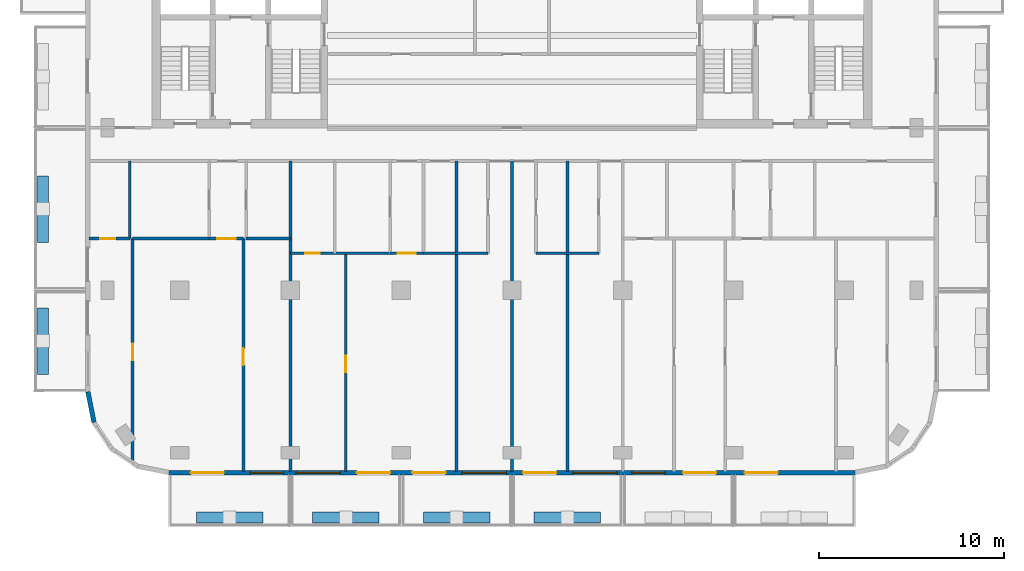
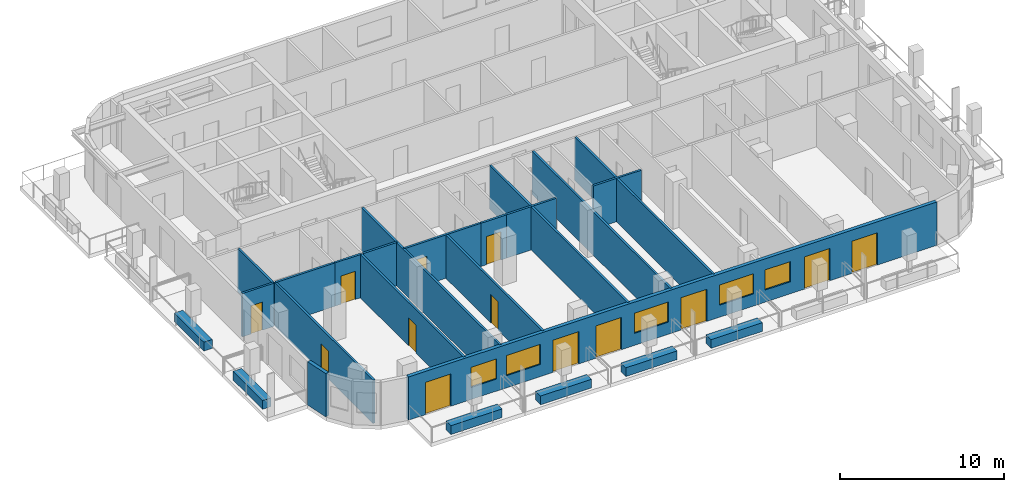
# One storey, part 2 of 11: 24 walls, 13 doors, 5 windows, 18 openings.
"""IFC4 building model written with IfcOpenShell, lengths in metres."""

from ifc_helpers import new_model, si_unit, direction, frame, frame_2d, origin, place, context, subcontext, project, spatial, rectangle, extrude, material, layer, layer_set, type_object, element, fill, save


model = new_model("IFC4")

# Units and contexts
model_context = context("Model", 3, precision=1e-05, world=origin(), true_north=direction((0.0, 1.0)))
body_context = subcontext(model_context, "Body", "Model", "MODEL_VIEW")
ifc_project = project(units=[si_unit("LENGTHUNIT", "METRE"), si_unit("AREAUNIT", "SQUARE_METRE"), si_unit("VOLUMEUNIT", "CUBIC_METRE"), si_unit("PLANEANGLEUNIT", "RADIAN"), si_unit("MASSUNIT", "GRAM", prefix="KILO")], contexts=[model_context])

# Site, building, storey
site_placement = place(None, origin())
site = spatial("IfcSite", under=ifc_project, at=site_placement, CompositionType="ELEMENT")
building_placement = place(site_placement, origin())
building = spatial("IfcBuilding", under=site, at=building_placement, Name="Torana Hotel and Residences", CompositionType="ELEMENT")
storey_placement = place(building_placement, frame((0.0, 0.0, 284.10009765625)))
storey = spatial("IfcBuildingStorey", under=building, at=storey_placement, Name="L75", CompositionType="ELEMENT", Elevation=284.10009765625)

# Wall
ifc_material_1 = material(Name="Black aluminium composite panel", Category="aluminium")
ifc_layer_1 = layer(ifc_material_1, 0.00390625, Name="Cladding", Category="cladding")
ifc_material_2 = material(Name="Ventilated air cavity")
ifc_layer_2 = layer(ifc_material_2, 0.0400390625, Name="Ventilated cavity", Category="cavity")
ifc_material_3 = material(Name="Mineral wool insulation")
ifc_layer_3 = layer(ifc_material_3, 0.090087890625, Name="Insulation", Category="insulation")
ifc_material_4 = material(Name="Steel S280GD", Category="steel")
ifc_layer_4 = layer(ifc_material_4, 0.092041015625, Name="Steel stud frame", Category="structure")
ifc_material_5 = material(Name="Fire rated plasterboard")
ifc_layer_5 = layer(ifc_material_5, 0.011962890625, Name="Inner board", Category="finish")
ifc_layer_6 = layer(ifc_material_5, 0.011962890625, Name="Second board", Category="finish")
ifc_layer_set_1 = layer_set([ifc_layer_1, ifc_layer_2, ifc_layer_3, ifc_layer_4, ifc_layer_5, ifc_layer_6], Name="EW1 EXTERNAL WALL BLACK METAL CLAD 250")
wall_type_1 = type_object("IfcWallType", Name="EW1 EXTERNAL WALL BLACK METAL CLAD 250", PredefinedType="SOLIDWALL", material=ifc_layer_set_1)
wall_1_placement = place(storey_placement, frame((-22.97265625, -29.2998046875, 0.0), z_axis=(0.0, 0.0, 1.0), x_axis=(0.19513878023, -0.980775640221, 0.0)))
element("IfcWall", 1, at=wall_1_placement, inside=storey, type_object=wall_type_1, Name="External wall L75 e0.10", PredefinedType="SOLIDWALL", context=body_context, shape_type="SweptSolid", body=[
    extrude(rectangle(XDim=1.681396484375, YDim=0.25, at=frame_2d((0.8408203125, 0.0))), origin(), (0.0, 0.0, 1.0), 3.219970703125),
])

# Wall, openings, doors, windows
wall_2_placement = place(storey_placement, frame((-18.575439453125, -33.675048828125, 0.0), z_axis=(0.0, 0.0, 1.0), x_axis=(1.0, 0.0, 0.0)))
wall_2 = element("IfcWall", 2, at=wall_2_placement, inside=storey, type_object=wall_type_1, Name="External wall L75 e0.14", PredefinedType="SOLIDWALL", context=body_context, shape_type="SweptSolid", body=[
    extrude(rectangle(XDim=37.15087890625, YDim=0.25, at=frame_2d((18.575439453125, 0.0))), origin(), (0.0, 0.0, 1.0), 3.219970703125),
])
opening_1_placement = place(wall_2_placement, frame((1.17529296875, 0.0, 0.0)))
opening_1 = element("IfcOpeningElement", 3, at=opening_1_placement, cuts=wall_2, Name="Opening L75-E01", PredefinedType="OPENING", context=body_context, shape_type="SweptSolid", body=[
    extrude(rectangle(XDim=1.800048828125, YDim=2.39990234375, at=frame_2d((0.89990234375, 1.199951171875))), frame((0.0, 0.135009765625, 0.0), z_axis=(0.0, -1.0, 0.0), x_axis=(1.0, 0.0, 0.0)), (0.0, 0.0, 1.0), 0.27001953125),
])
opening_2_placement = place(wall_2_placement, frame((4.400390625, 0.0, 0.89990234375)))
opening_2 = element("IfcOpeningElement", 4, at=opening_2_placement, cuts=wall_2, Name="Opening W4", PredefinedType="OPENING", context=body_context, shape_type="SweptSolid", body=[
    extrude(rectangle(XDim=1.800048828125, YDim=1.5, at=frame_2d((0.89990234375, 0.75))), frame((0.0, 0.135009765625, 0.0), z_axis=(0.0, -1.0, 0.0), x_axis=(1.0, 0.0, 0.0)), (0.0, 0.0, 1.0), 0.27001953125),
])
opening_3_placement = place(wall_2_placement, frame((6.87548828125, 0.0, 0.89990234375)))
opening_3 = element("IfcOpeningElement", 5, at=opening_3_placement, cuts=wall_2, Name="Opening W3", PredefinedType="OPENING", context=body_context, shape_type="SweptSolid", body=[
    extrude(rectangle(XDim=2.39990234375, YDim=1.5, at=frame_2d((1.199951171875, 0.75))), frame((0.0, 0.135009765625, 0.0), z_axis=(0.0, -1.0, 0.0), x_axis=(1.0, 0.0, 0.0)), (0.0, 0.0, 1.0), 0.27001953125),
])
opening_4_placement = place(wall_2_placement, frame((10.17529296875, 0.0, 0.0)))
opening_4 = element("IfcOpeningElement", 6, at=opening_4_placement, cuts=wall_2, Name="Opening L75-E02", PredefinedType="OPENING", context=body_context, shape_type="SweptSolid", body=[
    extrude(rectangle(XDim=1.800048828125, YDim=2.39990234375, at=frame_2d((0.89990234375, 1.199951171875))), frame((0.0, 0.135009765625, 0.0), z_axis=(0.0, -1.0, 0.0), x_axis=(1.0, 0.0, 0.0)), (0.0, 0.0, 1.0), 0.27001953125),
])
opening_5_placement = place(wall_2_placement, frame((13.17529296875, 0.0, 0.0)))
opening_5 = element("IfcOpeningElement", 7, at=opening_5_placement, cuts=wall_2, Name="Opening L75-E03", PredefinedType="OPENING", context=body_context, shape_type="SweptSolid", body=[
    extrude(rectangle(XDim=1.800048828125, YDim=2.39990234375, at=frame_2d((0.89990234375, 1.199951171875))), frame((0.0, 0.135009765625, 0.0), z_axis=(0.0, -1.0, 0.0), x_axis=(1.0, 0.0, 0.0)), (0.0, 0.0, 1.0), 0.27001953125),
])
opening_6_placement = place(wall_2_placement, frame((15.87548828125, 0.0, 0.89990234375)))
opening_6 = element("IfcOpeningElement", 8, at=opening_6_placement, cuts=wall_2, Name="Opening W3", PredefinedType="OPENING", context=body_context, shape_type="SweptSolid", body=[
    extrude(rectangle(XDim=2.39990234375, YDim=1.5, at=frame_2d((1.199951171875, 0.75))), frame((0.0, 0.135009765625, 0.0), z_axis=(0.0, -1.0, 0.0), x_axis=(1.0, 0.0, 0.0)), (0.0, 0.0, 1.0), 0.27001953125),
])
opening_7_placement = place(wall_2_placement, frame((19.17529296875, 0.0, 0.0)))
opening_7 = element("IfcOpeningElement", 9, at=opening_7_placement, cuts=wall_2, Name="Opening L75-E04", PredefinedType="OPENING", context=body_context, shape_type="SweptSolid", body=[
    extrude(rectangle(XDim=1.800048828125, YDim=2.39990234375, at=frame_2d((0.89990234375, 1.199951171875))), frame((0.0, 0.135009765625, 0.0), z_axis=(0.0, -1.0, 0.0), x_axis=(1.0, 0.0, 0.0)), (0.0, 0.0, 1.0), 0.27001953125),
])
opening_8_placement = place(wall_2_placement, frame((21.87548828125, 0.0, 0.89990234375)))
opening_8 = element("IfcOpeningElement", 10, at=opening_8_placement, cuts=wall_2, Name="Opening W3", PredefinedType="OPENING", context=body_context, shape_type="SweptSolid", body=[
    extrude(rectangle(XDim=2.39990234375, YDim=1.5, at=frame_2d((1.199951171875, 0.75))), frame((0.0, 0.135009765625, 0.0), z_axis=(0.0, -1.0, 0.0), x_axis=(1.0, 0.0, 0.0)), (0.0, 0.0, 1.0), 0.27001953125),
])
opening_9_placement = place(wall_2_placement, frame((25.0634765625, 0.0, 0.89990234375)))
opening_9 = element("IfcOpeningElement", 11, at=opening_9_placement, cuts=wall_2, Name="Opening W4", PredefinedType="OPENING", context=body_context, shape_type="SweptSolid", body=[
    extrude(rectangle(XDim=1.800048828125, YDim=1.5, at=frame_2d((0.89990234375, 0.75))), frame((0.0, 0.135009765625, 0.0), z_axis=(0.0, -1.0, 0.0), x_axis=(1.0, 0.0, 0.0)), (0.0, 0.0, 1.0), 0.27001953125),
])
opening_10_placement = place(wall_2_placement, frame((27.83837890625, 0.0, 0.0)))
opening_10 = element("IfcOpeningElement", 12, at=opening_10_placement, cuts=wall_2, Name="Opening L75-E05", PredefinedType="OPENING", context=body_context, shape_type="SweptSolid", body=[
    extrude(rectangle(XDim=1.800048828125, YDim=2.39990234375, at=frame_2d((0.89990234375, 1.199951171875))), frame((0.0, 0.135009765625, 0.0), z_axis=(0.0, -1.0, 0.0), x_axis=(1.0, 0.0, 0.0)), (0.0, 0.0, 1.0), 0.27001953125),
])
opening_11_placement = place(wall_2_placement, frame((31.17529296875, 0.0, 0.0)))
opening_11 = element("IfcOpeningElement", 13, at=opening_11_placement, cuts=wall_2, Name="Opening L75-E06", PredefinedType="OPENING", context=body_context, shape_type="SweptSolid", body=[
    extrude(rectangle(XDim=1.800048828125, YDim=2.39990234375, at=frame_2d((0.89990234375, 1.199951171875))), frame((0.0, 0.135009765625, 0.0), z_axis=(0.0, -1.0, 0.0), x_axis=(1.0, 0.0, 0.0)), (0.0, 0.0, 1.0), 0.27001953125),
])
ifc_material_6 = material(Name="Dark glass in black aluminium frame", Category="aluminium")
door_type_1 = type_object("IfcDoorType", Name="DB1 BALCONY DOOR 1800x2400", OperationType="DOUBLE_DOOR_SINGLE_SWING", PredefinedType="DOOR", material=ifc_material_6)
door_1_placement = place(opening_1_placement, origin())
door_1 = element("IfcDoor", 14, at=door_1_placement, inside=storey, type_object=door_type_1, Name="Balcony door L75", OperationType="DOUBLE_DOOR_SINGLE_SWING", OverallHeight=2.39990234375, OverallWidth=1.800048828125, PredefinedType="DOOR", context=body_context, shape_type="SweptSolid", body=[
    extrude(rectangle(XDim=1.800048828125, YDim=2.39990234375, at=frame_2d((0.89990234375, 1.199951171875))), frame((0.0, 0.02490234375, 0.0), z_axis=(0.0, -1.0, 0.0), x_axis=(1.0, 0.0, 0.0)), (0.0, 0.0, 1.0), 0.050048828125),
])
fill(opening_1, door_1)
door_2_placement = place(opening_4_placement, origin())
door_2 = element("IfcDoor", 15, at=door_2_placement, inside=storey, type_object=door_type_1, Name="Balcony door L75", OperationType="DOUBLE_DOOR_SINGLE_SWING", OverallHeight=2.39990234375, OverallWidth=1.800048828125, PredefinedType="DOOR", context=body_context, shape_type="SweptSolid", body=[
    extrude(rectangle(XDim=1.800048828125, YDim=2.39990234375, at=frame_2d((0.89990234375, 1.199951171875))), frame((0.0, 0.02490234375, 0.0), z_axis=(0.0, -1.0, 0.0), x_axis=(1.0, 0.0, 0.0)), (0.0, 0.0, 1.0), 0.050048828125),
])
fill(opening_4, door_2)
door_3_placement = place(opening_5_placement, origin())
door_3 = element("IfcDoor", 16, at=door_3_placement, inside=storey, type_object=door_type_1, Name="Balcony door L75", OperationType="DOUBLE_DOOR_SINGLE_SWING", OverallHeight=2.39990234375, OverallWidth=1.800048828125, PredefinedType="DOOR", context=body_context, shape_type="SweptSolid", body=[
    extrude(rectangle(XDim=1.800048828125, YDim=2.39990234375, at=frame_2d((0.89990234375, 1.199951171875))), frame((0.0, 0.02490234375, 0.0), z_axis=(0.0, -1.0, 0.0), x_axis=(1.0, 0.0, 0.0)), (0.0, 0.0, 1.0), 0.050048828125),
])
fill(opening_5, door_3)
door_4_placement = place(opening_7_placement, origin())
door_4 = element("IfcDoor", 17, at=door_4_placement, inside=storey, type_object=door_type_1, Name="Balcony door L75", OperationType="DOUBLE_DOOR_SINGLE_SWING", OverallHeight=2.39990234375, OverallWidth=1.800048828125, PredefinedType="DOOR", context=body_context, shape_type="SweptSolid", body=[
    extrude(rectangle(XDim=1.800048828125, YDim=2.39990234375, at=frame_2d((0.89990234375, 1.199951171875))), frame((0.0, 0.02490234375, 0.0), z_axis=(0.0, -1.0, 0.0), x_axis=(1.0, 0.0, 0.0)), (0.0, 0.0, 1.0), 0.050048828125),
])
fill(opening_7, door_4)
door_5_placement = place(opening_10_placement, origin())
door_5 = element("IfcDoor", 18, at=door_5_placement, inside=storey, type_object=door_type_1, Name="Balcony door L75", OperationType="DOUBLE_DOOR_SINGLE_SWING", OverallHeight=2.39990234375, OverallWidth=1.800048828125, PredefinedType="DOOR", context=body_context, shape_type="SweptSolid", body=[
    extrude(rectangle(XDim=1.800048828125, YDim=2.39990234375, at=frame_2d((0.89990234375, 1.199951171875))), frame((0.0, 0.02490234375, 0.0), z_axis=(0.0, -1.0, 0.0), x_axis=(1.0, 0.0, 0.0)), (0.0, 0.0, 1.0), 0.050048828125),
])
fill(opening_10, door_5)
door_6_placement = place(opening_11_placement, origin())
door_6 = element("IfcDoor", 19, at=door_6_placement, inside=storey, type_object=door_type_1, Name="Balcony door L75", OperationType="DOUBLE_DOOR_SINGLE_SWING", OverallHeight=2.39990234375, OverallWidth=1.800048828125, PredefinedType="DOOR", context=body_context, shape_type="SweptSolid", body=[
    extrude(rectangle(XDim=1.800048828125, YDim=2.39990234375, at=frame_2d((0.89990234375, 1.199951171875))), frame((0.0, 0.02490234375, 0.0), z_axis=(0.0, -1.0, 0.0), x_axis=(1.0, 0.0, 0.0)), (0.0, 0.0, 1.0), 0.050048828125),
])
fill(opening_11, door_6)
ifc_material_7 = material(Name="Dark glass in black aluminium frame", Category="aluminium")
window_type_1 = type_object("IfcWindowType", Name="W3 RESIDENCE WINDOW 2400x1500", PartitioningType="SINGLE_PANEL", PredefinedType="WINDOW", material=ifc_material_7)
window_1_placement = place(opening_3_placement, origin())
window_1 = element("IfcWindow", 20, at=window_1_placement, inside=storey, type_object=window_type_1, Name="Window L75", OverallHeight=1.5, OverallWidth=2.39990234375, PartitioningType="SINGLE_PANEL", PredefinedType="WINDOW", context=body_context, shape_type="SweptSolid", body=[
    extrude(rectangle(XDim=2.39990234375, YDim=1.5, at=frame_2d((1.199951171875, 0.75))), frame((0.0, 0.030029296875, 0.0), z_axis=(0.0, -1.0, 0.0), x_axis=(1.0, 0.0, 0.0)), (0.0, 0.0, 1.0), 0.06005859375),
])
fill(opening_3, window_1)
window_2_placement = place(opening_6_placement, origin())
window_2 = element("IfcWindow", 21, at=window_2_placement, inside=storey, type_object=window_type_1, Name="Window L75", OverallHeight=1.5, OverallWidth=2.39990234375, PartitioningType="SINGLE_PANEL", PredefinedType="WINDOW", context=body_context, shape_type="SweptSolid", body=[
    extrude(rectangle(XDim=2.39990234375, YDim=1.5, at=frame_2d((1.199951171875, 0.75))), frame((0.0, 0.030029296875, 0.0), z_axis=(0.0, -1.0, 0.0), x_axis=(1.0, 0.0, 0.0)), (0.0, 0.0, 1.0), 0.06005859375),
])
fill(opening_6, window_2)
window_3_placement = place(opening_8_placement, origin())
window_3 = element("IfcWindow", 22, at=window_3_placement, inside=storey, type_object=window_type_1, Name="Window L75", OverallHeight=1.5, OverallWidth=2.39990234375, PartitioningType="SINGLE_PANEL", PredefinedType="WINDOW", context=body_context, shape_type="SweptSolid", body=[
    extrude(rectangle(XDim=2.39990234375, YDim=1.5, at=frame_2d((1.199951171875, 0.75))), frame((0.0, 0.030029296875, 0.0), z_axis=(0.0, -1.0, 0.0), x_axis=(1.0, 0.0, 0.0)), (0.0, 0.0, 1.0), 0.06005859375),
])
fill(opening_8, window_3)
ifc_material_8 = material(Name="Dark glass in black aluminium frame", Category="aluminium")
window_type_2 = type_object("IfcWindowType", Name="W4 RESIDENCE WINDOW NARROW 1800x1500", PartitioningType="SINGLE_PANEL", PredefinedType="WINDOW", material=ifc_material_8)
window_4_placement = place(opening_2_placement, origin())
window_4 = element("IfcWindow", 23, at=window_4_placement, inside=storey, type_object=window_type_2, Name="Window L75", OverallHeight=1.5, OverallWidth=1.800048828125, PartitioningType="SINGLE_PANEL", PredefinedType="WINDOW", context=body_context, shape_type="SweptSolid", body=[
    extrude(rectangle(XDim=1.800048828125, YDim=1.5, at=frame_2d((0.89990234375, 0.75))), frame((0.0, 0.030029296875, 0.0), z_axis=(0.0, -1.0, 0.0), x_axis=(1.0, 0.0, 0.0)), (0.0, 0.0, 1.0), 0.06005859375),
])
fill(opening_2, window_4)
window_5_placement = place(opening_9_placement, origin())
window_5 = element("IfcWindow", 24, at=window_5_placement, inside=storey, type_object=window_type_2, Name="Window L75", OverallHeight=1.5, OverallWidth=1.800048828125, PartitioningType="SINGLE_PANEL", PredefinedType="WINDOW", context=body_context, shape_type="SweptSolid", body=[
    extrude(rectangle(XDim=1.800048828125, YDim=1.5, at=frame_2d((0.89990234375, 0.75))), frame((0.0, 0.030029296875, 0.0), z_axis=(0.0, -1.0, 0.0), x_axis=(1.0, 0.0, 0.0)), (0.0, 0.0, 1.0), 0.06005859375),
])
fill(opening_9, window_5)

# Wall, opening, door
ifc_material_9 = material(Name="Gypsum plaster")
ifc_layer_7 = layer(ifc_material_9, 0.014892578125, Name="Plaster", Category="finish")
ifc_material_10 = material(Name="Concrete blockwork", Category="masonry")
ifc_layer_8 = layer(ifc_material_10, 0.1201171875, Name="Blockwork", Category="structure")
ifc_layer_9 = layer(ifc_material_9, 0.014892578125, Name="Plaster", Category="finish")
ifc_layer_set_2 = layer_set([ifc_layer_7, ifc_layer_8, ifc_layer_9], Name="FIRE PARTITION 150 BLOCKWORK")
wall_type_2 = type_object("IfcWallType", Name="FIRE PARTITION 150 BLOCKWORK", PredefinedType="PARTITIONING", material=ifc_layer_set_2)
wall_3_placement = place(storey_placement, frame((-6.60009765625, -21.800048828125, 0.0), z_axis=(0.0, 0.0, 1.0), x_axis=(1.0, 0.0, 0.0)))
wall_3 = element("IfcWall", 25, at=wall_3_placement, inside=storey, type_object=wall_type_2, Name="Partition L75", PredefinedType="PARTITIONING", context=body_context, shape_type="SweptSolid", body=[
    extrude(rectangle(XDim=1.800048828125, YDim=0.14990234375, at=frame_2d((0.89990234375, 0.0))), origin(), (0.0, 0.0, 1.0), 3.219970703125),
])
opening_12_placement = place(wall_3_placement, frame((0.39990234375, 0.0, 0.0)))
opening_12 = element("IfcOpeningElement", 26, at=opening_12_placement, cuts=wall_3, Name="Opening L75-40", PredefinedType="OPENING", context=body_context, shape_type="SweptSolid", body=[
    extrude(rectangle(XDim=1.0, YDim=2.10009765625, at=frame_2d((0.5, 1.050048828125))), frame((0.0, 0.0849609375, 0.0), z_axis=(0.0, -1.0, 0.0), x_axis=(1.0, 0.0, 0.0)), (0.0, 0.0, 1.0), 0.169921875),
])
ifc_material_11 = material(Name="Steel S235", Category="steel")
door_type_2 = type_object("IfcDoorType", Name="ENTRY FIRE DOOR D6 1000x2100", OperationType="SINGLE_SWING_LEFT", PredefinedType="DOOR", material=ifc_material_11)
door_7_placement = place(opening_12_placement, frame((0.5, 0.0, 0.0), z_axis=(0.0, 0.0, 1.0), x_axis=(-1.0, 0.0, 0.0)))
door_7 = element("IfcDoor", 27, at=door_7_placement, inside=storey, type_object=door_type_2, Name="Door L75", OperationType="SINGLE_SWING_LEFT", OverallHeight=2.10009765625, OverallWidth=1.0, PredefinedType="DOOR", context=body_context, shape_type="SweptSolid", body=[
    extrude(rectangle(XDim=1.0, YDim=2.10009765625, at=frame_2d((0.0, 1.050048828125))), frame((0.0, -0.02490234375, 0.0), z_axis=(0.0, 1.0, 0.0), x_axis=(-1.0, 0.0, 0.0)), (0.0, 0.0, 1.0), 0.050048828125),
])
fill(opening_12, door_7)

wall_4_placement = place(storey_placement, frame((-16.39990234375, -21.0, 0.0), z_axis=(0.0, 0.0, 1.0), x_axis=(1.0, 0.0, 0.0)))
wall_4 = element("IfcWall", 28, at=wall_4_placement, inside=storey, type_object=wall_type_2, Name="Partition L75", PredefinedType="PARTITIONING", context=body_context, shape_type="SweptSolid", body=[
    extrude(rectangle(XDim=1.849853515625, YDim=0.14990234375, at=frame_2d((0.9248046875, 0.0))), origin(), (0.0, 0.0, 1.0), 3.219970703125),
])
opening_13_placement = place(wall_4_placement, frame((0.425048828125, 0.0, 0.0)))
opening_13 = element("IfcOpeningElement", 29, at=opening_13_placement, cuts=wall_4, Name="Opening L75-47", PredefinedType="OPENING", context=body_context, shape_type="SweptSolid", body=[
    extrude(rectangle(XDim=1.0, YDim=2.10009765625, at=frame_2d((0.5, 1.050048828125))), frame((0.0, 0.0849609375, 0.0), z_axis=(0.0, -1.0, 0.0), x_axis=(1.0, 0.0, 0.0)), (0.0, 0.0, 1.0), 0.169921875),
])
door_8_placement = place(opening_13_placement, frame((0.5, 0.0, 0.0), z_axis=(0.0, 0.0, 1.0), x_axis=(-1.0, 0.0, 0.0)))
door_8 = element("IfcDoor", 30, at=door_8_placement, inside=storey, type_object=door_type_2, Name="Door L75", OperationType="SINGLE_SWING_RIGHT", OverallHeight=2.10009765625, OverallWidth=1.0, PredefinedType="DOOR", context=body_context, shape_type="SweptSolid", body=[
    extrude(rectangle(XDim=1.0, YDim=2.10009765625, at=frame_2d((0.0, 1.050048828125))), frame((0.0, -0.02490234375, 0.0), z_axis=(0.0, 1.0, 0.0), x_axis=(-1.0, 0.0, 0.0)), (0.0, 0.0, 1.0), 0.050048828125),
])
fill(opening_13, door_8)

# Walls
ifc_material_12 = material(Name="Gypsum plasterboard")
ifc_layer_10 = layer(ifc_material_12, 0.012451171875, Name="Plasterboard", Category="finish")
ifc_layer_11 = layer(ifc_material_12, 0.012451171875, Name="Plasterboard", Category="finish")
ifc_layer_12 = layer(ifc_material_4, 0.10009765625, Name="Steel studs with mineral wool", Category="insulation")
ifc_layer_13 = layer(ifc_material_12, 0.012451171875, Name="Plasterboard", Category="finish")
ifc_layer_14 = layer(ifc_material_12, 0.012451171875, Name="Plasterboard", Category="finish")
ifc_layer_set_3 = layer_set([ifc_layer_10, ifc_layer_11, ifc_layer_12, ifc_layer_13, ifc_layer_14], Name="PARTITION 150 PLASTERBOARD")
wall_type_3 = type_object("IfcWallType", Name="PARTITION 150 PLASTERBOARD", PredefinedType="PARTITIONING", material=ifc_layer_set_3)
for number, where, z_axis, x_axis, name in (
    (31, (3.0, -33.6201171875, 0.0), (0.0, 0.0, 1.0), (0.0, 1.0, 0.0), "Partition L75"),
    (32, (0.0, -33.6201171875, 0.0), (0.0, 0.0, 1.0), (0.0, 1.0, 0.0), "Partition L75"),
    (33, (-3.0, -33.6201171875, 0.0), (0.0, 0.0, 1.0), (0.0, 1.0, 0.0), "Partition L75"),
):
    element("IfcWall", number, at=place(storey_placement, frame(where, z_axis=z_axis, x_axis=x_axis)), inside=storey, type_object=wall_type_3, Name=name, PredefinedType="PARTITIONING", context=body_context, shape_type="SweptSolid", body=[
        extrude(rectangle(XDim=16.820068359375, YDim=0.14990234375, at=frame_2d((8.41015625, 0.0))), origin(), (0.0, 0.0, 1.0), 3.219970703125),
    ])

# Wall, opening, door
wall_5_placement = place(storey_placement, frame((-9.0, -33.6201171875, 0.0), z_axis=(0.0, 0.0, 1.0), x_axis=(0.0, 1.0, 0.0)))
wall_5 = element("IfcWall", 34, at=wall_5_placement, inside=storey, type_object=wall_type_3, Name="Partition L75", PredefinedType="PARTITIONING", context=body_context, shape_type="SweptSolid", body=[
    extrude(rectangle(XDim=11.820068359375, YDim=0.14990234375, at=frame_2d((5.91015625, 0.0))), origin(), (0.0, 0.0, 1.0), 3.219970703125),
])
opening_14_placement = place(wall_5_placement, frame((5.3701171875, 0.0, 0.0)))
opening_14 = element("IfcOpeningElement", 35, at=opening_14_placement, cuts=wall_5, Name="Opening L75-41", PredefinedType="OPENING", context=body_context, shape_type="SweptSolid", body=[
    extrude(rectangle(XDim=0.89990234375, YDim=2.10009765625, at=frame_2d((0.449951171875, 1.050048828125))), frame((0.0, 0.0849609375, 0.0), z_axis=(0.0, -1.0, 0.0), x_axis=(1.0, 0.0, 0.0)), (0.0, 0.0, 1.0), 0.169921875),
])
ifc_material_13 = material(Name="Timber door, oiled ash", Category="wood")
door_type_3 = type_object("IfcDoorType", Name="ROOM DOOR D7 900x2100", OperationType="SINGLE_SWING_LEFT", PredefinedType="DOOR", material=ifc_material_13)
door_9_placement = place(opening_14_placement, origin())
door_9 = element("IfcDoor", 36, at=door_9_placement, inside=storey, type_object=door_type_3, Name="Door L75", OperationType="SINGLE_SWING_RIGHT", OverallHeight=2.10009765625, OverallWidth=0.89990234375, PredefinedType="DOOR", context=body_context, shape_type="SweptSolid", body=[
    extrude(rectangle(XDim=0.89990234375, YDim=2.10009765625, at=frame_2d((0.449951171875, 1.050048828125))), frame((0.0, 0.02490234375, 0.0), z_axis=(0.0, -1.0, 0.0), x_axis=(1.0, 0.0, 0.0)), (0.0, 0.0, 1.0), 0.050048828125),
])
fill(opening_14, door_9)

# Wall
wall_6_placement = place(storey_placement, frame((-12.0, -33.6201171875, 0.0), z_axis=(0.0, 0.0, 1.0), x_axis=(0.0, 1.0, 0.0)))
element("IfcWall", 37, at=wall_6_placement, inside=storey, type_object=wall_type_3, Name="Partition L75", PredefinedType="PARTITIONING", context=body_context, shape_type="SweptSolid", body=[
    extrude(rectangle(XDim=16.820068359375, YDim=0.14990234375, at=frame_2d((8.41015625, 0.0))), origin(), (0.0, 0.0, 1.0), 3.219970703125),
])

# Wall, opening, door
wall_7_placement = place(storey_placement, frame((-14.550048828125, -33.6201171875, 0.0), z_axis=(0.0, 0.0, 1.0), x_axis=(0.0, 1.0, 0.0)))
wall_7 = element("IfcWall", 38, at=wall_7_placement, inside=storey, type_object=wall_type_3, Name="Partition L75", PredefinedType="PARTITIONING", context=body_context, shape_type="SweptSolid", body=[
    extrude(rectangle(XDim=12.6201171875, YDim=0.14990234375, at=frame_2d((6.31005859375, 0.0))), origin(), (0.0, 0.0, 1.0), 3.219970703125),
])
opening_15_placement = place(wall_7_placement, frame((5.77001953125, 0.0, 0.0)))
opening_15 = element("IfcOpeningElement", 39, at=opening_15_placement, cuts=wall_7, Name="Opening L75-49", PredefinedType="OPENING", context=body_context, shape_type="SweptSolid", body=[
    extrude(rectangle(XDim=0.89990234375, YDim=2.10009765625, at=frame_2d((0.449951171875, 1.050048828125))), frame((0.0, 0.0849609375, 0.0), z_axis=(0.0, -1.0, 0.0), x_axis=(1.0, 0.0, 0.0)), (0.0, 0.0, 1.0), 0.169921875),
])
door_10_placement = place(opening_15_placement, origin())
door_10 = element("IfcDoor", 40, at=door_10_placement, inside=storey, type_object=door_type_3, Name="Door L75", OperationType="SINGLE_SWING_RIGHT", OverallHeight=2.10009765625, OverallWidth=0.89990234375, PredefinedType="DOOR", context=body_context, shape_type="SweptSolid", body=[
    extrude(rectangle(XDim=0.89990234375, YDim=2.10009765625, at=frame_2d((0.449951171875, 1.050048828125))), frame((0.0, 0.02490234375, 0.0), z_axis=(0.0, -1.0, 0.0), x_axis=(1.0, 0.0, 0.0)), (0.0, 0.0, 1.0), 0.050048828125),
])
fill(opening_15, door_10)

wall_8_placement = place(storey_placement, frame((-20.550048828125, -33.0166015625, 0.0), z_axis=(0.0, 0.0, 1.0), x_axis=(0.0, 1.0, 0.0)))
wall_8 = element("IfcWall", 41, at=wall_8_placement, inside=storey, type_object=wall_type_3, Name="Partition L75", PredefinedType="PARTITIONING", context=body_context, shape_type="SweptSolid", body=[
    extrude(rectangle(XDim=12.0166015625, YDim=0.14990234375, at=frame_2d((6.00830078125, 0.0))), origin(), (0.0, 0.0, 1.0), 3.219970703125),
])
opening_16_placement = place(wall_8_placement, frame((5.431640625, 0.0, 0.0)))
opening_16 = element("IfcOpeningElement", 42, at=opening_16_placement, cuts=wall_8, Name="Opening L75-50", PredefinedType="OPENING", context=body_context, shape_type="SweptSolid", body=[
    extrude(rectangle(XDim=0.89990234375, YDim=2.10009765625, at=frame_2d((0.449951171875, 1.050048828125))), frame((0.0, 0.0849609375, 0.0), z_axis=(0.0, -1.0, 0.0), x_axis=(1.0, 0.0, 0.0)), (0.0, 0.0, 1.0), 0.169921875),
])
door_11_placement = place(opening_16_placement, origin())
door_11 = element("IfcDoor", 43, at=door_11_placement, inside=storey, type_object=door_type_3, Name="Door L75", OperationType="SINGLE_SWING_RIGHT", OverallHeight=2.10009765625, OverallWidth=0.89990234375, PredefinedType="DOOR", context=body_context, shape_type="SweptSolid", body=[
    extrude(rectangle(XDim=0.89990234375, YDim=2.10009765625, at=frame_2d((0.449951171875, 1.050048828125))), frame((0.0, 0.02490234375, 0.0), z_axis=(0.0, -1.0, 0.0), x_axis=(1.0, 0.0, 0.0)), (0.0, 0.0, 1.0), 0.050048828125),
])
fill(opening_16, door_11)

# Wall
wall_9_placement = place(storey_placement, frame((-20.699951171875, -21.0, 0.0), z_axis=(0.0, 0.0, 1.0), x_axis=(0.0, 1.0, 0.0)))
element("IfcWall", 44, at=wall_9_placement, inside=storey, type_object=wall_type_3, Name="Partition L75", PredefinedType="PARTITIONING", context=body_context, shape_type="SweptSolid", body=[
    extrude(rectangle(XDim=4.199951171875, YDim=0.14990234375, at=frame_2d((2.10009765625, 0.0))), origin(), (0.0, 0.0, 1.0), 3.219970703125),
])

# Wall, opening, door
wall_10_placement = place(storey_placement, frame((-12.0, -21.800048828125, 0.0), z_axis=(0.0, 0.0, 1.0), x_axis=(1.0, 0.0, 0.0)))
wall_10 = element("IfcWall", 45, at=wall_10_placement, inside=storey, type_object=wall_type_3, Name="Partition L75", PredefinedType="PARTITIONING", context=body_context, shape_type="SweptSolid", body=[
    extrude(rectangle(XDim=5.39990234375, YDim=0.14990234375, at=frame_2d((2.699951171875, 0.0))), origin(), (0.0, 0.0, 1.0), 3.219970703125),
])
opening_17_placement = place(wall_10_placement, frame((0.800048828125, 0.0, 0.0)))
opening_17 = element("IfcOpeningElement", 46, at=opening_17_placement, cuts=wall_10, Name="Opening L75-38", PredefinedType="OPENING", context=body_context, shape_type="SweptSolid", body=[
    extrude(rectangle(XDim=0.800048828125, YDim=2.10009765625, at=frame_2d((0.39990234375, 1.050048828125))), frame((0.0, 0.0849609375, 0.0), z_axis=(0.0, -1.0, 0.0), x_axis=(1.0, 0.0, 0.0)), (0.0, 0.0, 1.0), 0.169921875),
])
ifc_material_14 = material(Name="Timber door, painted", Category="wood")
door_type_4 = type_object("IfcDoorType", Name="BATH DOOR D13 800x2100", OperationType="SINGLE_SWING_LEFT", PredefinedType="DOOR", material=ifc_material_14)
door_12_placement = place(opening_17_placement, origin())
door_12 = element("IfcDoor", 47, at=door_12_placement, inside=storey, type_object=door_type_4, Name="Door L75", OperationType="SINGLE_SWING_RIGHT", OverallHeight=2.10009765625, OverallWidth=0.800048828125, PredefinedType="DOOR", context=body_context, shape_type="SweptSolid", body=[
    extrude(rectangle(XDim=0.800048828125, YDim=2.10009765625, at=frame_2d((0.39990234375, 1.050048828125))), frame((0.0, 0.02490234375, 0.0), z_axis=(0.0, -1.0, 0.0), x_axis=(1.0, 0.0, 0.0)), (0.0, 0.0, 1.0), 0.050048828125),
])
fill(opening_17, door_12)

# Walls
wall_11_placement = place(storey_placement, frame((-4.800048828125, -21.800048828125, 0.0), z_axis=(0.0, 0.0, 1.0), x_axis=(1.0, 0.0, 0.0)))
element("IfcWall", 48, at=wall_11_placement, inside=storey, type_object=wall_type_3, Name="Partition L75", PredefinedType="PARTITIONING", context=body_context, shape_type="SweptSolid", body=[
    extrude(rectangle(XDim=3.5, YDim=0.14990234375, at=frame_2d((1.75, 0.0))), origin(), (0.0, 0.0, 1.0), 3.219970703125),
])
wall_12_placement = place(storey_placement, frame((1.300048828125, -21.800048828125, 0.0), z_axis=(0.0, 0.0, 1.0), x_axis=(1.0, 0.0, 0.0)))
element("IfcWall", 49, at=wall_12_placement, inside=storey, type_object=wall_type_3, Name="Partition L75", PredefinedType="PARTITIONING", context=body_context, shape_type="SweptSolid", body=[
    extrude(rectangle(XDim=3.39990234375, YDim=0.14990234375, at=frame_2d((1.699951171875, 0.0))), origin(), (0.0, 0.0, 1.0), 3.219970703125),
])

# Wall, opening, door
wall_13_placement = place(storey_placement, frame((-22.919921875, -21.0, 0.0), z_axis=(0.0, 0.0, 1.0), x_axis=(1.0, 0.0, 0.0)))
wall_13 = element("IfcWall", 50, at=wall_13_placement, inside=storey, type_object=wall_type_3, Name="Partition L75", PredefinedType="PARTITIONING", context=body_context, shape_type="SweptSolid", body=[
    extrude(rectangle(XDim=2.219970703125, YDim=0.14990234375, at=frame_2d((1.10986328125, 0.0))), origin(), (0.0, 0.0, 1.0), 3.219970703125),
])
opening_18_placement = place(wall_13_placement, frame((0.6201171875, 0.0, 0.0)))
opening_18 = element("IfcOpeningElement", 51, at=opening_18_placement, cuts=wall_13, Name="Opening L75-48", PredefinedType="OPENING", context=body_context, shape_type="SweptSolid", body=[
    extrude(rectangle(XDim=0.800048828125, YDim=2.10009765625, at=frame_2d((0.39990234375, 1.050048828125))), frame((0.0, 0.0849609375, 0.0), z_axis=(0.0, -1.0, 0.0), x_axis=(1.0, 0.0, 0.0)), (0.0, 0.0, 1.0), 0.169921875),
])
door_13_placement = place(opening_18_placement, origin())
door_13 = element("IfcDoor", 52, at=door_13_placement, inside=storey, type_object=door_type_4, Name="Door L75", OperationType="SINGLE_SWING_RIGHT", OverallHeight=2.10009765625, OverallWidth=0.800048828125, PredefinedType="DOOR", context=body_context, shape_type="SweptSolid", body=[
    extrude(rectangle(XDim=0.800048828125, YDim=2.10009765625, at=frame_2d((0.39990234375, 1.050048828125))), frame((0.0, 0.02490234375, 0.0), z_axis=(0.0, -1.0, 0.0), x_axis=(1.0, 0.0, 0.0)), (0.0, 0.0, 1.0), 0.050048828125),
])
fill(opening_18, door_13)

# Walls
wall_14_placement = place(storey_placement, frame((-20.550048828125, -21.0, 0.0), z_axis=(0.0, 0.0, 1.0), x_axis=(1.0, 0.0, 0.0)))
element("IfcWall", 53, at=wall_14_placement, inside=storey, type_object=wall_type_3, Name="Partition L75", PredefinedType="PARTITIONING", context=body_context, shape_type="SweptSolid", body=[
    extrude(rectangle(XDim=4.150146484375, YDim=0.14990234375, at=frame_2d((2.0751953125, 0.0))), origin(), (0.0, 0.0, 1.0), 3.219970703125),
])
wall_15_placement = place(storey_placement, frame((-14.39990234375, -21.0, 0.0), z_axis=(0.0, 0.0, 1.0), x_axis=(1.0, 0.0, 0.0)))
element("IfcWall", 54, at=wall_15_placement, inside=storey, type_object=wall_type_3, Name="Partition L75", PredefinedType="PARTITIONING", context=body_context, shape_type="SweptSolid", body=[
    extrude(rectangle(XDim=2.39990234375, YDim=0.14990234375, at=frame_2d((1.199951171875, 0.0))), origin(), (0.0, 0.0, 1.0), 3.219970703125),
])
ifc_material_15 = material(Name="Concrete C40/50 precast", Category="concrete")
ifc_layer_15 = layer(ifc_material_15, 0.10009765625, Name="Planter shell", Category="structure")
ifc_material_16 = material(Name="Root resistant membrane")
ifc_layer_16 = layer(ifc_material_16, 0.00390625, Name="Waterproofing membrane", Category="membrane")
ifc_material_17 = material(Name="Drainage board with filter fleece")
ifc_layer_17 = layer(ifc_material_17, 0.02001953125, Name="Drainage board", Category="drainage")
ifc_material_18 = material(Name="Growing medium")
ifc_layer_18 = layer(ifc_material_18, 0.47607421875, Name="Planting substrate", Category="soil")
ifc_layer_set_4 = layer_set([ifc_layer_15, ifc_layer_16, ifc_layer_17, ifc_layer_18], Name="PL1 BALCONY PLANTER 600")
wall_type_4 = type_object("IfcWallType", Name="PL1 BALCONY PLANTER 600", PredefinedType="USERDEFINED", material=ifc_layer_set_4)
for number, where, z_axis, x_axis, name in (
    (55, (-13.5, -36.10009765625, 0.0), (0.0, 0.0, 1.0), (-1.0, 0.0, 0.0), "Planter 01"),
    (56, (-7.199951171875, -36.10009765625, 0.0), (0.0, 0.0, 1.0), (-1.0, 0.0, 0.0), "Planter 02"),
    (57, (-1.199951171875, -36.10009765625, 0.0), (0.0, 0.0, 1.0), (-1.0, 0.0, 0.0), "Planter 03"),
    (58, (4.800048828125, -36.10009765625, 0.0), (0.0, 0.0, 1.0), (-1.0, 0.0, 0.0), "Planter 04"),
    (59, (-25.39990234375, -28.35009765625, 0.0), (0.0, 0.0, 1.0), (0.0, 1.0, 0.0), "Planter 07"),
):
    element("IfcWall", number, at=place(storey_placement, frame(where, z_axis=z_axis, x_axis=x_axis)), inside=storey, type_object=wall_type_4, Name=name, ObjectType="PLANTER", PredefinedType="USERDEFINED", context=body_context, shape_type="SweptSolid", body=[
        extrude(rectangle(XDim=3.60009765625, YDim=0.60009765625, at=frame_2d((1.800048828125, 0.0))), origin(), (0.0, 0.0, 1.0), 0.64990234375),
    ])
wall_16_placement = place(storey_placement, frame((-25.39990234375, -21.199951171875, 0.0), z_axis=(0.0, 0.0, 1.0), x_axis=(0.0, 1.0, 0.0)))
element("IfcWall", 60, at=wall_16_placement, inside=storey, type_object=wall_type_4, Name="Planter 08", ObjectType="PLANTER", PredefinedType="USERDEFINED", context=body_context, shape_type="SweptSolid", body=[
    extrude(rectangle(XDim=3.599853515625, YDim=0.60009765625, at=frame_2d((1.7998046875, 0.0))), origin(), (0.0, 0.0, 1.0), 0.64990234375),
])

save(model, "model.ifc")
